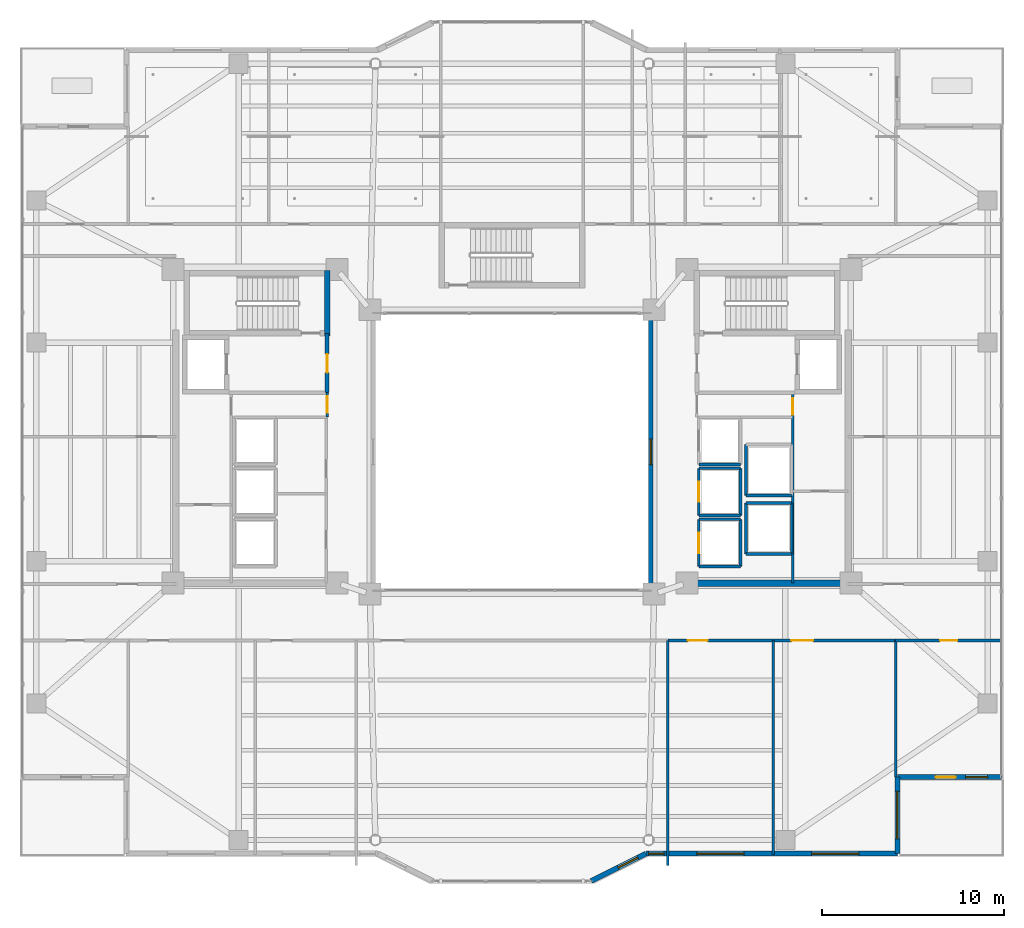
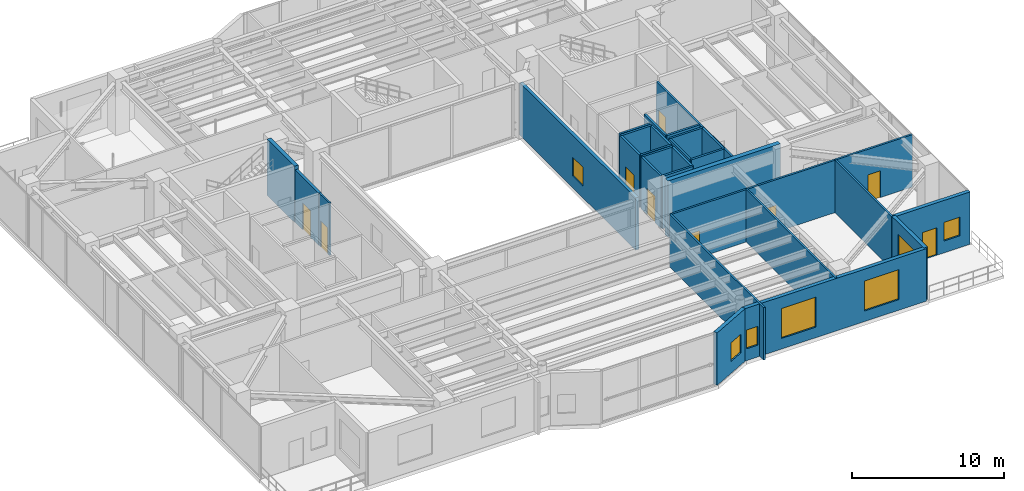
# One storey, part 28 of 37: 30 walls, 9 doors, 7 windows, 16 openings.
"""IFC4 building model written with IfcOpenShell, lengths in metres."""

from ifc_helpers import new_model, si_unit, direction, frame, frame_2d, origin, place, context, subcontext, project, spatial, rectangle, extrude, material, layer, layer_set, type_object, element, fill, save


model = new_model("IFC4")

# Units and contexts
model_context = context("Model", 3, precision=1e-05, world=origin(), true_north=direction((0.0, 1.0)))
body_context = subcontext(model_context, "Body", "Model", "MODEL_VIEW")
ifc_project = project(units=[si_unit("LENGTHUNIT", "METRE"), si_unit("AREAUNIT", "SQUARE_METRE"), si_unit("VOLUMEUNIT", "CUBIC_METRE"), si_unit("PLANEANGLEUNIT", "RADIAN"), si_unit("MASSUNIT", "GRAM", prefix="KILO")], contexts=[model_context])

# Site, building, storey
site_placement = place(None, origin())
site = spatial("IfcSite", under=ifc_project, at=site_placement, CompositionType="ELEMENT")
building_placement = place(site_placement, origin())
building = spatial("IfcBuilding", under=site, at=building_placement, Name="Tarnavaz Court Tower", CompositionType="ELEMENT")
storey_placement = place(building_placement, frame((0.0, 0.0, 118.5)))
storey = spatial("IfcBuildingStorey", under=building, at=storey_placement, Name="L32", CompositionType="ELEMENT", Elevation=118.5)

# Walls
ifc_material_1 = material(Name="Concrete C60/75", Category="concrete")
ifc_layer_1 = layer(ifc_material_1, 0.300048828125)
ifc_layer_set_1 = layer_set([ifc_layer_1], Name="Concrete C60/75")
wall_type_1 = type_object("IfcWallType", Name="WL-CORE-300-C60", PredefinedType="SHEAR", material=ifc_layer_set_1)
wall_1_placement = place(storey_placement, frame((-10.14990234375, 6.35009765625, 0.0), z_axis=(0.0, 0.0, 1.0), x_axis=(0.0, 1.0, 0.0)))
element("IfcWall", 1, at=wall_1_placement, inside=storey, type_object=wall_type_1, Name="L32 West Stair Core Wall 004", PredefinedType="SHEAR", context=body_context, shape_type="SweptSolid", body=[
    extrude(rectangle(XDim=3.58984375, YDim=0.300048828125, at=frame_2d((1.794921875, 0.0))), origin(), (0.0, 0.0, 1.0), 4.5),
])
ifc_layer_2 = layer(ifc_material_1, 0.35009765625)
ifc_layer_set_2 = layer_set([ifc_layer_2], Name="Concrete C60/75")
wall_type_2 = type_object("IfcWallType", Name="WL-CORE-350-C60", PredefinedType="SHEAR", material=ifc_layer_set_2)
wall_2_placement = place(storey_placement, frame((10.074951171875, -7.199951171875, 0.0), z_axis=(0.0, 0.0, 1.0), x_axis=(1.0, 0.0, 0.0)))
element("IfcWall", 2, at=wall_2_placement, inside=storey, type_object=wall_type_2, Name="L32 East Core South Shear Wall 060", PredefinedType="SHEAR", context=body_context, shape_type="SweptSolid", body=[
    extrude(rectangle(XDim=8.550048828125, YDim=0.35009765625, at=frame_2d((4.27490234375, 0.0))), origin(), (0.0, 0.0, 1.0), 4.5),
])

# Wall, openings, door, window
ifc_material_2 = material(Name="Precast Concrete C40/50", Category="concrete")
ifc_layer_3 = layer(ifc_material_2, 0.280029296875)
ifc_layer_set_3 = layer_set([ifc_layer_3], Name="Precast Concrete C40/50")
wall_type_3 = type_object("IfcWallType", Name="WL-EXT-280", PredefinedType="SOLIDWALL", material=ifc_layer_set_3)
wall_3_placement = place(storey_placement, frame((26.85009765625, -17.85009765625, 0.0), z_axis=(0.0, 0.0, 1.0), x_axis=(-1.0, 0.0, 0.0)))
wall_3 = element("IfcWall", 3, at=wall_3_placement, inside=storey, type_object=wall_type_3, Name="L32 Exterior Terracotta Facade Wall 13", PredefinedType="SOLIDWALL", context=body_context, shape_type="SweptSolid", body=[
    extrude(rectangle(XDim=5.7001953125, YDim=0.280029296875, at=frame_2d((2.85009765625, 0.0))), origin(), (0.0, 0.0, 1.0), 4.199951171875),
])
opening_1_placement = place(wall_3_placement, frame((2.5, 0.0, 0.0)))
opening_1 = element("IfcOpeningElement", 4, at=opening_1_placement, cuts=wall_3, Name="Opening TD1", PredefinedType="OPENING", context=body_context, shape_type="SweptSolid", body=[
    extrude(rectangle(XDim=1.10009765625, YDim=2.199951171875, at=frame_2d((0.550048828125, 1.10009765625))), frame((0.0, 0.14990234375, 0.0), z_axis=(0.0, -1.0, 0.0), x_axis=(1.0, 0.0, 0.0)), (0.0, 0.0, 1.0), 0.300048828125),
])
opening_2_placement = place(wall_3_placement, frame((0.7548828125, 0.0, 0.949951171875)))
opening_2 = element("IfcOpeningElement", 5, at=opening_2_placement, cuts=wall_3, Name="Opening W05", PredefinedType="OPENING", context=body_context, shape_type="SweptSolid", body=[
    extrude(rectangle(XDim=1.199951171875, YDim=1.5, at=frame_2d((0.60009765625, 0.75))), frame((0.0, 0.14990234375, 0.0), z_axis=(0.0, -1.0, 0.0), x_axis=(1.0, 0.0, 0.0)), (0.0, 0.0, 1.0), 0.300048828125),
])
ifc_material_3 = material(Name="Thermally Broken Aluminium and Laminated Glass", Category="aluminium")
door_type_1 = type_object("IfcDoorType", Name="DR-TERR-1100", OperationType="NOTDEFINED", PredefinedType="DOOR", material=ifc_material_3)
door_1_placement = place(opening_1_placement, origin())
door_1 = element("IfcDoor", 6, at=door_1_placement, inside=storey, type_object=door_type_1, Name="L32 Sky Terrace Access Door 3", OperationType="SINGLE_SWING_LEFT", OverallHeight=2.199951171875, OverallWidth=1.10009765625, PredefinedType="DOOR", context=body_context, shape_type="SweptSolid", body=[
    extrude(rectangle(XDim=1.10009765625, YDim=2.199951171875, at=frame_2d((0.550048828125, 1.10009765625))), frame((0.0, 0.02490234375, 0.0), z_axis=(0.0, -1.0, 0.0), x_axis=(1.0, 0.0, 0.0)), (0.0, 0.0, 1.0), 0.050048828125),
])
fill(opening_1, door_1)
ifc_material_4 = material(Name="Double-Glazed Solar Low-E Glass", Category="glass")
window_type_1 = type_object("IfcWindowType", Name="WN-APT-1200", PartitioningType="SINGLE_PANEL", PredefinedType="WINDOW", material=ifc_material_4)
window_1_placement = place(opening_2_placement, origin())
window_1 = element("IfcWindow", 7, at=window_1_placement, inside=storey, type_object=window_type_1, Name="L32 L32 SE Terrace Salon Window", OverallHeight=1.5, OverallWidth=1.199951171875, PartitioningType="SINGLE_PANEL", PredefinedType="WINDOW", context=body_context, shape_type="SweptSolid", body=[
    extrude(rectangle(XDim=1.199951171875, YDim=1.5, at=frame_2d((0.60009765625, 0.75))), frame((0.0, 0.030029296875, 0.0), z_axis=(0.0, -1.0, 0.0), x_axis=(1.0, 0.0, 0.0)), (0.0, 0.0, 1.0), 0.06005859375),
])
fill(opening_2, window_1)

# Wall, opening, window
wall_4_placement = place(storey_placement, frame((21.14990234375, -17.85009765625, 0.0), z_axis=(0.0, 0.0, 1.0), x_axis=(0.0, -1.0, 0.0)))
wall_4 = element("IfcWall", 8, at=wall_4_placement, inside=storey, type_object=wall_type_3, Name="L32 Exterior Terracotta Facade Wall 14", PredefinedType="SOLIDWALL", context=body_context, shape_type="SweptSolid", body=[
    extrude(rectangle(XDim=4.199951171875, YDim=0.280029296875, at=frame_2d((2.10009765625, 0.0))), origin(), (0.0, 0.0, 1.0), 4.199951171875),
])
opening_3_placement = place(wall_4_placement, frame((0.7822265625, 0.0, 0.85009765625)))
opening_3 = element("IfcOpeningElement", 9, at=opening_3_placement, cuts=wall_4, Name="Opening W11", PredefinedType="OPENING", context=body_context, shape_type="SweptSolid", body=[
    extrude(rectangle(XDim=2.60009765625, YDim=2.39990234375, at=frame_2d((1.300048828125, 1.199951171875))), frame((0.0, 0.14990234375, 0.0), z_axis=(0.0, -1.0, 0.0), x_axis=(1.0, 0.0, 0.0)), (0.0, 0.0, 1.0), 0.300048828125),
])
window_type_2 = type_object("IfcWindowType", Name="WN-COM-2600", PartitioningType="TRIPLE_PANEL_VERTICAL", PredefinedType="WINDOW", material=ifc_material_4)
window_2_placement = place(opening_3_placement, origin())
window_2 = element("IfcWindow", 10, at=window_2_placement, inside=storey, type_object=window_type_2, Name="L32 L32 Communal Dining Hall Window", OverallHeight=2.39990234375, OverallWidth=2.60009765625, PartitioningType="SINGLE_PANEL", PredefinedType="WINDOW", context=body_context, shape_type="SweptSolid", body=[
    extrude(rectangle(XDim=2.60009765625, YDim=2.39990234375, at=frame_2d((1.300048828125, 1.199951171875))), frame((0.0, 0.030029296875, 0.0), z_axis=(0.0, -1.0, 0.0), x_axis=(1.0, 0.0, 0.0)), (0.0, 0.0, 1.0), 0.06005859375),
])
fill(opening_3, window_2)

# Wall, openings, windows
wall_5_placement = place(storey_placement, frame((21.14990234375, -22.050048828125, 0.0), z_axis=(0.0, 0.0, 1.0), x_axis=(-1.0, 0.0, 0.0)))
wall_5 = element("IfcWall", 11, at=wall_5_placement, inside=storey, type_object=wall_type_3, Name="L32 Exterior Terracotta Facade Wall 15", PredefinedType="SOLIDWALL", context=body_context, shape_type="SweptSolid", body=[
    extrude(rectangle(XDim=13.7998046875, YDim=0.280029296875, at=frame_2d((6.89990234375, 0.0))), origin(), (0.0, 0.0, 1.0), 4.199951171875),
])
opening_4_placement = place(wall_5_placement, frame((2.1123046875, 0.0, 0.85009765625)))
opening_4 = element("IfcOpeningElement", 12, at=opening_4_placement, cuts=wall_5, Name="Opening W11", PredefinedType="OPENING", context=body_context, shape_type="SweptSolid", body=[
    extrude(rectangle(XDim=2.60009765625, YDim=2.39990234375, at=frame_2d((1.300048828125, 1.199951171875))), frame((0.0, 0.14990234375, 0.0), z_axis=(0.0, -1.0, 0.0), x_axis=(1.0, 0.0, 0.0)), (0.0, 0.0, 1.0), 0.300048828125),
])
opening_5_placement = place(wall_5_placement, frame((8.41015625, 0.0, 0.85009765625)))
opening_5 = element("IfcOpeningElement", 13, at=opening_5_placement, cuts=wall_5, Name="Opening W11", PredefinedType="OPENING", context=body_context, shape_type="SweptSolid", body=[
    extrude(rectangle(XDim=2.60009765625, YDim=2.39990234375, at=frame_2d((1.300048828125, 1.199951171875))), frame((0.0, 0.14990234375, 0.0), z_axis=(0.0, -1.0, 0.0), x_axis=(1.0, 0.0, 0.0)), (0.0, 0.0, 1.0), 0.300048828125),
])
opening_6_placement = place(wall_5_placement, frame((12.802978515625, 0.0, 0.949951171875)))
opening_6 = element("IfcOpeningElement", 14, at=opening_6_placement, cuts=wall_5, Name="Opening W15", PredefinedType="OPENING", context=body_context, shape_type="SweptSolid", body=[
    extrude(rectangle(XDim=0.85009765625, YDim=1.5, at=frame_2d((0.425048828125, 0.75))), frame((0.0, 0.14990234375, 0.0), z_axis=(0.0, -1.0, 0.0), x_axis=(1.0, 0.0, 0.0)), (0.0, 0.0, 1.0), 0.300048828125),
])
window_type_3 = type_object("IfcWindowType", Name="WN-APT-850", PartitioningType="SINGLE_PANEL", PredefinedType="WINDOW", material=ifc_material_4)
window_3_placement = place(opening_6_placement, origin())
window_3 = element("IfcWindow", 15, at=window_3_placement, inside=storey, type_object=window_type_3, Name="L32 L32 Central Iwan Cultural Exhibition Hall Window", OverallHeight=1.5, OverallWidth=0.85009765625, PartitioningType="SINGLE_PANEL", PredefinedType="WINDOW", context=body_context, shape_type="SweptSolid", body=[
    extrude(rectangle(XDim=0.85009765625, YDim=1.5, at=frame_2d((0.425048828125, 0.75))), frame((0.0, 0.030029296875, 0.0), z_axis=(0.0, -1.0, 0.0), x_axis=(1.0, 0.0, 0.0)), (0.0, 0.0, 1.0), 0.06005859375),
])
fill(opening_6, window_3)
window_4_placement = place(opening_4_placement, origin())
window_4 = element("IfcWindow", 16, at=window_4_placement, inside=storey, type_object=window_type_2, Name="L32 L32 Communal Dining Hall Window", OverallHeight=2.39990234375, OverallWidth=2.60009765625, PartitioningType="SINGLE_PANEL", PredefinedType="WINDOW", context=body_context, shape_type="SweptSolid", body=[
    extrude(rectangle(XDim=2.60009765625, YDim=2.39990234375, at=frame_2d((1.300048828125, 1.199951171875))), frame((0.0, 0.030029296875, 0.0), z_axis=(0.0, -1.0, 0.0), x_axis=(1.0, 0.0, 0.0)), (0.0, 0.0, 1.0), 0.06005859375),
])
fill(opening_4, window_4)
window_5_placement = place(opening_5_placement, origin())
window_5 = element("IfcWindow", 17, at=window_5_placement, inside=storey, type_object=window_type_2, Name="L32 L32 Residents Counseling Office Window", OverallHeight=2.39990234375, OverallWidth=2.60009765625, PartitioningType="SINGLE_PANEL", PredefinedType="WINDOW", context=body_context, shape_type="SweptSolid", body=[
    extrude(rectangle(XDim=2.60009765625, YDim=2.39990234375, at=frame_2d((1.300048828125, 1.199951171875))), frame((0.0, 0.030029296875, 0.0), z_axis=(0.0, -1.0, 0.0), x_axis=(1.0, 0.0, 0.0)), (0.0, 0.0, 1.0), 0.06005859375),
])
fill(opening_5, window_5)

# Wall, opening, window
wall_6_placement = place(storey_placement, frame((7.35009765625, -22.050048828125, 0.0), z_axis=(0.0, 0.0, 1.0), x_axis=(-0.894427191, -0.4472135955, 0.0)))
wall_6 = element("IfcWall", 18, at=wall_6_placement, inside=storey, type_object=wall_type_3, Name="L32 Exterior Terracotta Facade Wall 16", PredefinedType="SOLIDWALL", context=body_context, shape_type="SweptSolid", body=[
    extrude(rectangle(XDim=3.35400390625, YDim=0.280029296875, at=frame_2d((1.677001953125, 0.0))), origin(), (0.0, 0.0, 1.0), 4.199951171875),
])
opening_7_placement = place(wall_6_placement, frame((0.501220703125, 0.0, 0.949951171875)))
opening_7 = element("IfcOpeningElement", 19, at=opening_7_placement, cuts=wall_6, Name="Opening W05", PredefinedType="OPENING", context=body_context, shape_type="SweptSolid", body=[
    extrude(rectangle(XDim=1.199951171875, YDim=1.5, at=frame_2d((0.60009765625, 0.75))), frame((0.0, 0.14990234375, 0.0), z_axis=(0.0, -1.0, 0.0), x_axis=(1.0, 0.0, 0.0)), (0.0, 0.0, 1.0), 0.300048828125),
])
window_6_placement = place(opening_7_placement, origin())
window_6 = element("IfcWindow", 20, at=window_6_placement, inside=storey, type_object=window_type_1, Name="L32 L32 Central Iwan Cultural Exhibition Hall Window", OverallHeight=1.5, OverallWidth=1.199951171875, PartitioningType="SINGLE_PANEL", PredefinedType="WINDOW", context=body_context, shape_type="SweptSolid", body=[
    extrude(rectangle(XDim=1.199951171875, YDim=1.5, at=frame_2d((0.60009765625, 0.75))), frame((0.0, 0.030029296875, 0.0), z_axis=(0.0, -1.0, 0.0), x_axis=(1.0, 0.0, 0.0)), (0.0, 0.0, 1.0), 0.06005859375),
])
fill(opening_7, window_6)

# Wall, openings, doors
ifc_material_5 = material(Name="Gypsum Fire-Board on Acoustic Metal Stud", Category="masonry")
ifc_layer_4 = layer(ifc_material_5, 0.14990234375)
ifc_layer_set_4 = layer_set([ifc_layer_4], Name="Gypsum Fire-Board on Acoustic Metal Stud")
wall_type_4 = type_object("IfcWallType", Name="WL-FIRE-150", PredefinedType="PARTITIONING", material=ifc_layer_set_4)
wall_7_placement = place(storey_placement, frame((8.550048828125, -10.35009765625, 0.0), z_axis=(0.0, 0.0, 1.0), x_axis=(1.0, 0.0, 0.0)))
wall_7 = element("IfcWall", 21, at=wall_7_placement, inside=storey, type_object=wall_type_4, Name="L32 SE Horseshoe Wall 074", PredefinedType="PARTITIONING", context=body_context, shape_type="SweptSolid", body=[
    extrude(rectangle(XDim=12.5, YDim=0.14990234375, at=frame_2d((6.25, 0.0))), origin(), (0.0, 0.0, 1.0), 4.199951171875),
])
opening_8_placement = place(wall_7_placement, frame((1.10009765625, 0.0, 0.0)))
opening_8 = element("IfcOpeningElement", 22, at=opening_8_placement, cuts=wall_7, Name="Opening D12", PredefinedType="OPENING", context=body_context, shape_type="SweptSolid", body=[
    extrude(rectangle(XDim=1.080078125, YDim=2.14990234375, at=frame_2d((0.5400390625, 1.074951171875))), frame((0.0, 0.0849609375, 0.0), z_axis=(0.0, -1.0, 0.0), x_axis=(1.0, 0.0, 0.0)), (0.0, 0.0, 1.0), 0.169921875),
])
opening_9_placement = place(wall_7_placement, frame((6.777099609375, 0.0, 0.0)))
opening_9 = element("IfcOpeningElement", 23, at=opening_9_placement, cuts=wall_7, Name="Opening D11", PredefinedType="OPENING", context=body_context, shape_type="SweptSolid", body=[
    extrude(rectangle(XDim=1.199951171875, YDim=2.14990234375, at=frame_2d((0.60009765625, 1.074951171875))), frame((0.0, 0.0849609375, 0.0), z_axis=(0.0, -1.0, 0.0), x_axis=(1.0, 0.0, 0.0)), (0.0, 0.0, 1.0), 0.169921875),
])
ifc_material_6 = material(Name="Engineered Oak Timber", Category="wood")
door_type_2 = type_object("IfcDoorType", Name="DR-INT-1100", OperationType="NOTDEFINED", PredefinedType="DOOR", material=ifc_material_6)
door_2_placement = place(opening_8_placement, origin())
door_2 = element("IfcDoor", 24, at=door_2_placement, inside=storey, type_object=door_type_2, Name="L32 Counseling Office Door", OperationType="SINGLE_SWING_RIGHT", OverallHeight=2.14990234375, OverallWidth=1.080078125, PredefinedType="DOOR", context=body_context, shape_type="SweptSolid", body=[
    extrude(rectangle(XDim=1.080078125, YDim=2.14990234375, at=frame_2d((0.5400390625, 1.074951171875))), frame((0.0, 0.02490234375, 0.0), z_axis=(0.0, -1.0, 0.0), x_axis=(1.0, 0.0, 0.0)), (0.0, 0.0, 1.0), 0.050048828125),
])
fill(opening_8, door_2)
door_type_3 = type_object("IfcDoorType", Name="DR-INT-1200", OperationType="NOTDEFINED", PredefinedType="DOOR", material=ifc_material_6)
door_3_placement = place(opening_9_placement, origin())
door_3 = element("IfcDoor", 25, at=door_3_placement, inside=storey, type_object=door_type_3, Name="L32 L32 Communal Dining Hall Door", OperationType="SINGLE_SWING_LEFT", OverallHeight=2.14990234375, OverallWidth=1.199951171875, PredefinedType="DOOR", context=body_context, shape_type="SweptSolid", body=[
    extrude(rectangle(XDim=1.199951171875, YDim=2.14990234375, at=frame_2d((0.60009765625, 1.074951171875))), frame((0.0, 0.02490234375, 0.0), z_axis=(0.0, -1.0, 0.0), x_axis=(1.0, 0.0, 0.0)), (0.0, 0.0, 1.0), 0.050048828125),
])
fill(opening_9, door_3)

# Wall, opening, door
wall_8_placement = place(storey_placement, frame((21.050048828125, -10.35009765625, 0.0), z_axis=(0.0, 0.0, 1.0), x_axis=(1.0, 0.0, 0.0)))
wall_8 = element("IfcWall", 26, at=wall_8_placement, inside=storey, type_object=wall_type_4, Name="L32 Interior Partition 097", PredefinedType="PARTITIONING", context=body_context, shape_type="SweptSolid", body=[
    extrude(rectangle(XDim=5.829833984375, YDim=0.14990234375, at=frame_2d((2.9150390625, 0.0))), origin(), (0.0, 0.0, 1.0), 4.199951171875),
])
opening_10_placement = place(wall_8_placement, frame((2.43994140625, 0.0, 0.0)))
opening_10 = element("IfcOpeningElement", 27, at=opening_10_placement, cuts=wall_8, Name="Opening D13", PredefinedType="OPENING", context=body_context, shape_type="SweptSolid", body=[
    extrude(rectangle(XDim=0.949951171875, YDim=2.14990234375, at=frame_2d((0.47509765625, 1.074951171875))), frame((0.0, 0.0849609375, 0.0), z_axis=(0.0, -1.0, 0.0), x_axis=(1.0, 0.0, 0.0)), (0.0, 0.0, 1.0), 0.169921875),
])
door_type_4 = type_object("IfcDoorType", Name="DR-INT-950", OperationType="NOTDEFINED", PredefinedType="DOOR", material=ifc_material_6)
door_4_placement = place(opening_10_placement, origin())
door_4 = element("IfcDoor", 28, at=door_4_placement, inside=storey, type_object=door_type_4, Name="L32 SE Terrace Salon Door", OperationType="SINGLE_SWING_LEFT", OverallHeight=2.14990234375, OverallWidth=0.949951171875, PredefinedType="DOOR", context=body_context, shape_type="SweptSolid", body=[
    extrude(rectangle(XDim=0.949951171875, YDim=2.14990234375, at=frame_2d((0.47509765625, 1.074951171875))), frame((0.0, 0.02490234375, 0.0), z_axis=(0.0, -1.0, 0.0), x_axis=(1.0, 0.0, 0.0)), (0.0, 0.0, 1.0), 0.050048828125),
])
fill(opening_10, door_4)

ifc_material_7 = material(Name="Autoclaved Aerated Concrete Blockwork", Category="masonry")
ifc_layer_5 = layer(ifc_material_7, 0.199951171875)
ifc_layer_set_5 = layer_set([ifc_layer_5], Name="Autoclaved Aerated Concrete Blockwork")
wall_type_5 = type_object("IfcWallType", Name="WL-FIRE-200", PredefinedType="SOLIDWALL", material=ifc_layer_set_5)
wall_9_placement = place(storey_placement, frame((-10.14990234375, 3.25, 0.0), z_axis=(0.0, 0.0, 1.0), x_axis=(0.0, 1.0, 0.0)))
wall_9 = element("IfcWall", 29, at=wall_9_placement, inside=storey, type_object=wall_type_5, Name="L32 West Firefighting Lobby Wall 014", PredefinedType="SOLIDWALL", context=body_context, shape_type="SweptSolid", body=[
    extrude(rectangle(XDim=3.25, YDim=0.199951171875, at=frame_2d((1.625, 0.0))), origin(), (0.0, 0.0, 1.0), 4.199951171875),
])
opening_11_placement = place(wall_9_placement, frame((1.10009765625, 0.0, 0.0)))
opening_11 = element("IfcOpeningElement", 30, at=opening_11_placement, cuts=wall_9, Name="Opening D05", PredefinedType="OPENING", context=body_context, shape_type="SweptSolid", body=[
    extrude(rectangle(XDim=1.02001953125, YDim=2.14990234375, at=frame_2d((0.510009765625, 1.074951171875))), frame((0.0, 0.10986328125, 0.0), z_axis=(0.0, -1.0, 0.0), x_axis=(1.0, 0.0, 0.0)), (0.0, 0.0, 1.0), 0.219970703125),
])
ifc_material_8 = material(Name="Fire-Rated Hardwood Timber Core", Category="wood")
door_type_5 = type_object("IfcDoorType", Name="DR-FD60-1000", OperationType="NOTDEFINED", PredefinedType="DOOR", material=ifc_material_8)
door_5_placement = place(opening_11_placement, origin())
door_5 = element("IfcDoor", 31, at=door_5_placement, inside=storey, type_object=door_type_5, Name="L32 West Firefighting Lobby Door", OperationType="SINGLE_SWING_RIGHT", OverallHeight=2.14990234375, OverallWidth=1.02001953125, PredefinedType="DOOR", context=body_context, shape_type="SweptSolid", body=[
    extrude(rectangle(XDim=1.02001953125, YDim=2.14990234375, at=frame_2d((0.510009765625, 1.074951171875))), frame((0.0, 0.02490234375, 0.0), z_axis=(0.0, -1.0, 0.0), x_axis=(1.0, 0.0, 0.0)), (0.0, 0.0, 1.0), 0.050048828125),
])
fill(opening_11, door_5)

ifc_material_9 = material(Name="Gypsum Plasterboard Acoustic Partition", Category="masonry")
ifc_layer_6 = layer(ifc_material_9, 0.139892578125)
ifc_layer_set_6 = layer_set([ifc_layer_6], Name="Gypsum Plasterboard Acoustic Partition")
wall_type_6 = type_object("IfcWallType", Name="WL-PART-150", PredefinedType="PARTITIONING", material=ifc_layer_set_6)
wall_10_placement = place(storey_placement, frame((-10.14990234375, 1.919921875, 0.0), z_axis=(0.0, 0.0, 1.0), x_axis=(0.0, 1.0, 0.0)))
wall_10 = element("IfcWall", 32, at=wall_10_placement, inside=storey, type_object=wall_type_6, Name="L32 Interior Partition 062", PredefinedType="PARTITIONING", context=body_context, shape_type="SweptSolid", body=[
    extrude(rectangle(XDim=1.330078125, YDim=0.139892578125, at=frame_2d((0.6650390625, 0.0))), origin(), (0.0, 0.0, 1.0), 4.199951171875),
])
opening_12_placement = place(wall_10_placement, frame((0.219970703125, 0.0, 0.0)))
opening_12 = element("IfcOpeningElement", 33, at=opening_12_placement, cuts=wall_10, Name="Opening D09", PredefinedType="OPENING", context=body_context, shape_type="SweptSolid", body=[
    extrude(rectangle(XDim=0.89990234375, YDim=2.080078125, at=frame_2d((0.449951171875, 1.0400390625))), frame((0.0, 0.079833984375, 0.0), z_axis=(0.0, -1.0, 0.0), x_axis=(1.0, 0.0, 0.0)), (0.0, 0.0, 1.0), 0.159912109375),
])
door_type_6 = type_object("IfcDoorType", Name="DR-FD30-900", OperationType="NOTDEFINED", PredefinedType="DOOR", material=ifc_material_8)
door_6_placement = place(opening_12_placement, origin())
door_6 = element("IfcDoor", 34, at=door_6_placement, inside=storey, type_object=door_type_6, Name="L32 West Core Service Lobby Door", OperationType="SINGLE_SWING_LEFT", OverallHeight=2.080078125, OverallWidth=0.89990234375, PredefinedType="DOOR", context=body_context, shape_type="SweptSolid", body=[
    extrude(rectangle(XDim=0.89990234375, YDim=2.080078125, at=frame_2d((0.449951171875, 1.0400390625))), frame((0.0, 0.02490234375, 0.0), z_axis=(0.0, -1.0, 0.0), x_axis=(1.0, 0.0, 0.0)), (0.0, 0.0, 1.0), 0.050048828125),
])
fill(opening_12, door_6)

wall_11_placement = place(storey_placement, frame((15.39990234375, -7.199951171875, 0.0), z_axis=(0.0, 0.0, 1.0), x_axis=(0.0, 1.0, 0.0)))
wall_11 = element("IfcWall", 35, at=wall_11_placement, inside=storey, type_object=wall_type_6, Name="L32 Interior Partition 069", PredefinedType="PARTITIONING", context=body_context, shape_type="SweptSolid", body=[
    extrude(rectangle(XDim=10.449951171875, YDim=0.139892578125, at=frame_2d((5.22509765625, 0.0))), origin(), (0.0, 0.0, 1.0), 4.199951171875),
])
opening_13_placement = place(wall_11_placement, frame((9.25, 0.0, 0.0)))
opening_13 = element("IfcOpeningElement", 36, at=opening_13_placement, cuts=wall_11, Name="Opening D09", PredefinedType="OPENING", context=body_context, shape_type="SweptSolid", body=[
    extrude(rectangle(XDim=0.89990234375, YDim=2.080078125, at=frame_2d((0.449951171875, 1.0400390625))), frame((0.0, 0.079833984375, 0.0), z_axis=(0.0, -1.0, 0.0), x_axis=(1.0, 0.0, 0.0)), (0.0, 0.0, 1.0), 0.159912109375),
])
door_7_placement = place(opening_13_placement, origin())
door_7 = element("IfcDoor", 37, at=door_7_placement, inside=storey, type_object=door_type_6, Name="L32 East Wet Riser Door", OperationType="SINGLE_SWING_LEFT", OverallHeight=2.080078125, OverallWidth=0.89990234375, PredefinedType="DOOR", context=body_context, shape_type="SweptSolid", body=[
    extrude(rectangle(XDim=0.89990234375, YDim=2.080078125, at=frame_2d((0.449951171875, 1.0400390625))), frame((0.0, 0.02490234375, 0.0), z_axis=(0.0, -1.0, 0.0), x_axis=(1.0, 0.0, 0.0)), (0.0, 0.0, 1.0), 0.050048828125),
])
fill(opening_13, door_7)

# Walls
wall_12_placement = place(storey_placement, frame((8.550048828125, -22.7041015625, 0.0), z_axis=(0.0, 0.0, 1.0), x_axis=(0.0, 1.0, 0.0)))
element("IfcWall", 38, at=wall_12_placement, inside=storey, type_object=wall_type_6, Name="L32 Interior Partition 083", PredefinedType="PARTITIONING", context=body_context, shape_type="SweptSolid", body=[
    extrude(rectangle(XDim=12.35400390625, YDim=0.139892578125, at=frame_2d((6.177001953125, 0.0))), origin(), (0.0, 0.0, 1.0), 4.199951171875),
])
wall_13_placement = place(storey_placement, frame((14.326904296875, -22.10009765625, 0.0), z_axis=(0.0, 0.0, 1.0), x_axis=(0.0, 1.0, 0.0)))
element("IfcWall", 39, at=wall_13_placement, inside=storey, type_object=wall_type_6, Name="L32 Interior Partition 084", PredefinedType="PARTITIONING", context=body_context, shape_type="SweptSolid", body=[
    extrude(rectangle(XDim=11.75, YDim=0.139892578125, at=frame_2d((5.875, 0.0))), origin(), (0.0, 0.0, 1.0), 4.199951171875),
])
wall_14_placement = place(storey_placement, frame((21.050048828125, -17.85009765625, 0.0), z_axis=(0.0, 0.0, 1.0), x_axis=(0.0, 1.0, 0.0)))
element("IfcWall", 40, at=wall_14_placement, inside=storey, type_object=wall_type_6, Name="L32 Interior Partition 091", PredefinedType="PARTITIONING", context=body_context, shape_type="SweptSolid", body=[
    extrude(rectangle(XDim=7.5, YDim=0.139892578125, at=frame_2d((3.75, 0.0))), origin(), (0.0, 0.0, 1.0), 4.199951171875),
])

# Wall, opening, door
ifc_layer_7 = layer(ifc_material_7, 0.159912109375)
ifc_layer_set_7 = layer_set([ifc_layer_7], Name="Autoclaved Aerated Concrete Blockwork")
wall_type_7 = type_object("IfcWallType", Name="WL-SHAFT-150", PredefinedType="SOLIDWALL", material=ifc_layer_set_7)
wall_15_placement = place(storey_placement, frame((10.25, -6.300048828125, 0.0), z_axis=(0.0, 0.0, 1.0), x_axis=(0.0, 1.0, 0.0)))
wall_15 = element("IfcWall", 41, at=wall_15_placement, inside=storey, type_object=wall_type_7, Name="L32 Lift PL-M1 Shaft Wall 037", PredefinedType="SOLIDWALL", context=body_context, shape_type="SweptSolid", body=[
    extrude(rectangle(XDim=2.60009765625, YDim=0.159912109375, at=frame_2d((1.300048828125, 0.0))), origin(), (0.0, 0.0, 1.0), 4.199951171875),
])
opening_14_placement = place(wall_15_placement, frame((0.75, 0.0, 0.0)))
opening_14 = element("IfcOpeningElement", 42, at=opening_14_placement, cuts=wall_15, Name="Opening LD1", PredefinedType="OPENING", context=body_context, shape_type="SweptSolid", body=[
    extrude(rectangle(XDim=1.10009765625, YDim=2.14990234375, at=frame_2d((0.550048828125, 1.074951171875))), frame((0.0, 0.08984375, 0.0), z_axis=(0.0, -1.0, 0.0), x_axis=(1.0, 0.0, 0.0)), (0.0, 0.0, 1.0), 0.179931640625),
])
ifc_material_10 = material(Name="Stainless Steel", Category="steel")
door_type_7 = type_object("IfcDoorType", Name="DR-LD-1100", OperationType="NOTDEFINED", PredefinedType="DOOR", material=ifc_material_10)
door_8_placement = place(opening_14_placement, origin())
door_8 = element("IfcDoor", 43, at=door_8_placement, inside=storey, type_object=door_type_7, Name="L32 Lift Landing Door LD-PL-M1", OperationType="SLIDING_TO_LEFT", OverallHeight=2.14990234375, OverallWidth=1.10009765625, PredefinedType="DOOR", context=body_context, shape_type="SweptSolid", body=[
    extrude(rectangle(XDim=1.10009765625, YDim=2.14990234375, at=frame_2d((0.550048828125, 1.074951171875))), frame((0.0, 0.02490234375, 0.0), z_axis=(0.0, -1.0, 0.0), x_axis=(1.0, 0.0, 0.0)), (0.0, 0.0, 1.0), 0.050048828125),
])
fill(opening_14, door_8)

# Walls
wall_16_placement = place(storey_placement, frame((12.550048828125, -6.300048828125, 0.0), z_axis=(0.0, 0.0, 1.0), x_axis=(0.0, 1.0, 0.0)))
element("IfcWall", 44, at=wall_16_placement, inside=storey, type_object=wall_type_7, Name="L32 Lift PL-M1 Shaft Wall 038", PredefinedType="SOLIDWALL", context=body_context, shape_type="SweptSolid", body=[
    extrude(rectangle(XDim=2.60009765625, YDim=0.159912109375, at=frame_2d((1.300048828125, 0.0))), origin(), (0.0, 0.0, 1.0), 4.199951171875),
])
for number, where, z_axis, x_axis, name in (
    (45, (10.25, -6.300048828125, 0.0), (0.0, 0.0, 1.0), (1.0, 0.0, 0.0), "L32 Lift PL-M1 Shaft Wall 039"),
    (46, (10.25, -3.699951171875, 0.0), (0.0, 0.0, 1.0), (1.0, 0.0, 0.0), "L32 Lift PL-M1 Shaft Wall 040"),
):
    element("IfcWall", number, at=place(storey_placement, frame(where, z_axis=z_axis, x_axis=x_axis)), inside=storey, type_object=wall_type_7, Name=name, PredefinedType="SOLIDWALL", context=body_context, shape_type="SweptSolid", body=[
        extrude(rectangle(XDim=2.300048828125, YDim=0.159912109375, at=frame_2d((1.14990234375, 0.0))), origin(), (0.0, 0.0, 1.0), 4.199951171875),
    ])

# Wall, opening, door
wall_17_placement = place(storey_placement, frame((10.25, -3.5, 0.0), z_axis=(0.0, 0.0, 1.0), x_axis=(0.0, 1.0, 0.0)))
wall_17 = element("IfcWall", 47, at=wall_17_placement, inside=storey, type_object=wall_type_7, Name="L32 Lift PL-M2 Shaft Wall 041", PredefinedType="SOLIDWALL", context=body_context, shape_type="SweptSolid", body=[
    extrude(rectangle(XDim=2.60009765625, YDim=0.159912109375, at=frame_2d((1.300048828125, 0.0))), origin(), (0.0, 0.0, 1.0), 4.199951171875),
])
opening_15_placement = place(wall_17_placement, frame((0.75, 0.0, 0.0)))
opening_15 = element("IfcOpeningElement", 48, at=opening_15_placement, cuts=wall_17, Name="Opening LD1", PredefinedType="OPENING", context=body_context, shape_type="SweptSolid", body=[
    extrude(rectangle(XDim=1.10009765625, YDim=2.14990234375, at=frame_2d((0.550048828125, 1.074951171875))), frame((0.0, 0.08984375, 0.0), z_axis=(0.0, -1.0, 0.0), x_axis=(1.0, 0.0, 0.0)), (0.0, 0.0, 1.0), 0.179931640625),
])
door_9_placement = place(opening_15_placement, origin())
door_9 = element("IfcDoor", 49, at=door_9_placement, inside=storey, type_object=door_type_7, Name="L32 Lift Landing Door LD-PL-M2", OperationType="SLIDING_TO_LEFT", OverallHeight=2.14990234375, OverallWidth=1.10009765625, PredefinedType="DOOR", context=body_context, shape_type="SweptSolid", body=[
    extrude(rectangle(XDim=1.10009765625, YDim=2.14990234375, at=frame_2d((0.550048828125, 1.074951171875))), frame((0.0, 0.02490234375, 0.0), z_axis=(0.0, -1.0, 0.0), x_axis=(1.0, 0.0, 0.0)), (0.0, 0.0, 1.0), 0.050048828125),
])
fill(opening_15, door_9)

# Walls
wall_18_placement = place(storey_placement, frame((12.550048828125, -3.5, 0.0), z_axis=(0.0, 0.0, 1.0), x_axis=(0.0, 1.0, 0.0)))
element("IfcWall", 50, at=wall_18_placement, inside=storey, type_object=wall_type_7, Name="L32 Lift PL-M2 Shaft Wall 042", PredefinedType="SOLIDWALL", context=body_context, shape_type="SweptSolid", body=[
    extrude(rectangle(XDim=2.60009765625, YDim=0.159912109375, at=frame_2d((1.300048828125, 0.0))), origin(), (0.0, 0.0, 1.0), 4.199951171875),
])
for number, where, z_axis, x_axis, name in (
    (51, (10.25, -3.5, 0.0), (0.0, 0.0, 1.0), (1.0, 0.0, 0.0), "L32 Lift PL-M2 Shaft Wall 043"),
    (52, (10.25, -0.89990234375, 0.0), (0.0, 0.0, 1.0), (1.0, 0.0, 0.0), "L32 Lift PL-M2 Shaft Wall 044"),
    (53, (10.25, -0.699951171875, 0.0), (0.0, 0.0, 1.0), (1.0, 0.0, 0.0), "L32 Lift PL-M3 Shaft Wall 047"),
):
    element("IfcWall", number, at=place(storey_placement, frame(where, z_axis=z_axis, x_axis=x_axis)), inside=storey, type_object=wall_type_7, Name=name, PredefinedType="SOLIDWALL", context=body_context, shape_type="SweptSolid", body=[
        extrude(rectangle(XDim=2.300048828125, YDim=0.159912109375, at=frame_2d((1.14990234375, 0.0))), origin(), (0.0, 0.0, 1.0), 4.199951171875),
    ])
for number, where, z_axis, x_axis, name in (
    (54, (12.85009765625, -5.60009765625, 0.0), (0.0, 0.0, 1.0), (0.0, 1.0, 0.0), "L32 Lift PL-OB1 Shaft Wall 049"),
    (55, (15.35009765625, -5.60009765625, 0.0), (0.0, 0.0, 1.0), (0.0, 1.0, 0.0), "L32 Lift PL-OB1 Shaft Wall 050"),
):
    element("IfcWall", number, at=place(storey_placement, frame(where, z_axis=z_axis, x_axis=x_axis)), inside=storey, type_object=wall_type_7, Name=name, PredefinedType="SOLIDWALL", context=body_context, shape_type="SweptSolid", body=[
        extrude(rectangle(XDim=2.800048828125, YDim=0.159912109375, at=frame_2d((1.39990234375, 0.0))), origin(), (0.0, 0.0, 1.0), 4.199951171875),
    ])
for number, where, z_axis, x_axis, name in (
    (56, (12.85009765625, -5.60009765625, 0.0), (0.0, 0.0, 1.0), (1.0, 0.0, 0.0), "L32 Lift PL-OB1 Shaft Wall 051"),
    (57, (12.85009765625, -2.800048828125, 0.0), (0.0, 0.0, 1.0), (1.0, 0.0, 0.0), "L32 Lift PL-OB1 Shaft Wall 052"),
):
    element("IfcWall", number, at=place(storey_placement, frame(where, z_axis=z_axis, x_axis=x_axis)), inside=storey, type_object=wall_type_7, Name=name, PredefinedType="SOLIDWALL", context=body_context, shape_type="SweptSolid", body=[
        extrude(rectangle(XDim=2.5, YDim=0.159912109375, at=frame_2d((1.25, 0.0))), origin(), (0.0, 0.0, 1.0), 4.199951171875),
    ])
wall_19_placement = place(storey_placement, frame((12.85009765625, -2.39990234375, 0.0), z_axis=(0.0, 0.0, 1.0), x_axis=(0.0, 1.0, 0.0)))
element("IfcWall", 58, at=wall_19_placement, inside=storey, type_object=wall_type_7, Name="L32 Lift PL-OB2 Shaft Wall 053", PredefinedType="SOLIDWALL", context=body_context, shape_type="SweptSolid", body=[
    extrude(rectangle(XDim=2.7998046875, YDim=0.159912109375, at=frame_2d((1.39990234375, 0.0))), origin(), (0.0, 0.0, 1.0), 4.199951171875),
])
wall_20_placement = place(storey_placement, frame((12.85009765625, -2.39990234375, 0.0), z_axis=(0.0, 0.0, 1.0), x_axis=(1.0, 0.0, 0.0)))
element("IfcWall", 59, at=wall_20_placement, inside=storey, type_object=wall_type_7, Name="L32 Lift PL-OB2 Shaft Wall 055", PredefinedType="SOLIDWALL", context=body_context, shape_type="SweptSolid", body=[
    extrude(rectangle(XDim=2.5, YDim=0.159912109375, at=frame_2d((1.25, 0.0))), origin(), (0.0, 0.0, 1.0), 4.199951171875),
])

# Wall, opening, window
ifc_layer_8 = layer(ifc_material_2, 0.239990234375)
ifc_layer_set_8 = layer_set([ifc_layer_8], Name="Precast Concrete C40/50")
wall_type_8 = type_object("IfcWallType", Name="WL-WELL-240", PredefinedType="SOLIDWALL", material=ifc_layer_set_8)
wall_21_placement = place(storey_placement, frame((7.6201171875, -7.6201171875, 0.0), z_axis=(0.0, 0.0, 1.0), x_axis=(0.0, 1.0, 0.0)))
wall_21 = element("IfcWall", 60, at=wall_21_placement, inside=storey, type_object=wall_type_8, Name="L32 Badgir Light-Well Exterior Wall E", PredefinedType="SOLIDWALL", context=body_context, shape_type="SweptSolid", body=[
    extrude(rectangle(XDim=15.240234375, YDim=0.239990234375, at=frame_2d((7.6201171875, 0.0))), origin(), (0.0, 0.0, 1.0), 4.199951171875),
])
opening_16_placement = place(wall_21_placement, frame((6.919921875, 0.0, 0.949951171875)))
opening_16 = element("IfcOpeningElement", 61, at=opening_16_placement, cuts=wall_21, Name="Opening W13", PredefinedType="OPENING", context=body_context, shape_type="SweptSolid", body=[
    extrude(rectangle(XDim=1.39990234375, YDim=1.5, at=frame_2d((0.699951171875, 0.75))), frame((0.0, 0.1298828125, 0.0), z_axis=(0.0, -1.0, 0.0), x_axis=(1.0, 0.0, 0.0)), (0.0, 0.0, 1.0), 0.260009765625),
])
window_type_4 = type_object("IfcWindowType", Name="WN-WEL-1400", PartitioningType="SINGLE_PANEL", PredefinedType="WINDOW", material=ifc_material_4)
window_7_placement = place(opening_16_placement, origin())
window_7 = element("IfcWindow", 62, at=window_7_placement, inside=storey, type_object=window_type_4, Name="L32 Courtyard Gallery Window E", OverallHeight=1.5, OverallWidth=1.39990234375, PartitioningType="SINGLE_PANEL", PredefinedType="WINDOW", context=body_context, shape_type="SweptSolid", body=[
    extrude(rectangle(XDim=1.39990234375, YDim=1.5, at=frame_2d((0.699951171875, 0.75))), frame((0.0, 0.030029296875, 0.0), z_axis=(0.0, -1.0, 0.0), x_axis=(1.0, 0.0, 0.0)), (0.0, 0.0, 1.0), 0.06005859375),
])
fill(opening_16, window_7)

save(model, "model.ifc")
